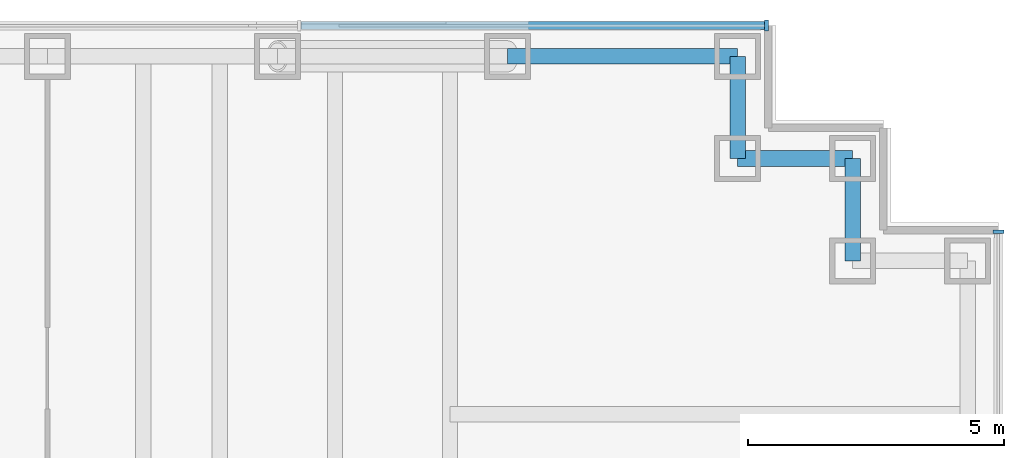
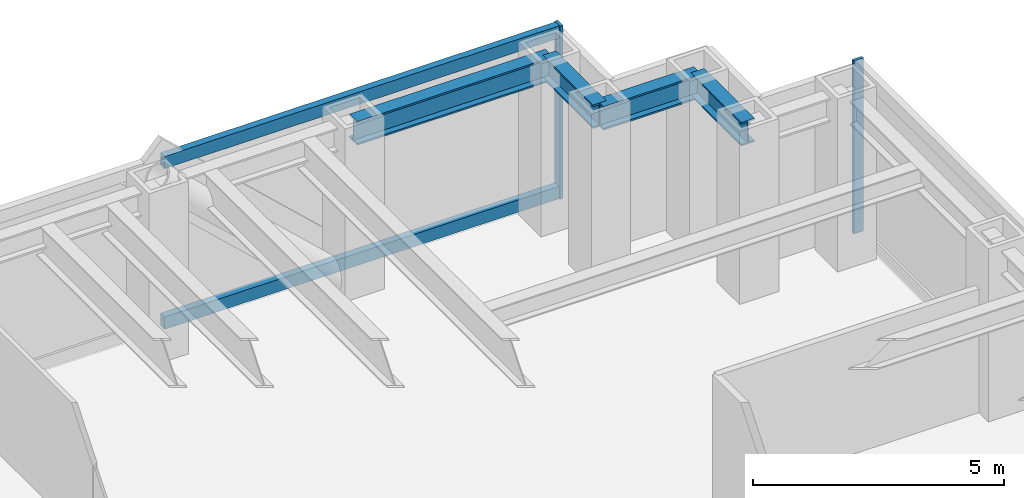
# One storey, part 9 of 17: 4 beams, 4 members, 2 elements without a shape of their own.
"""IFC4 building model written with IfcOpenShell, lengths in metres."""

from ifc_helpers import new_model, si_unit, direction, frame, origin, origin_2d, place, context, subcontext, project, spatial, rectangle, i_section, extrude, material, material_profile, profile_set, type_object, element, aggregate, save


model = new_model("IFC4")

# Units and contexts
model_context = context("Model", 3, precision=1e-05, world=origin(), true_north=direction((0.0, 1.0)))
body_context = subcontext(model_context, "Body", "Model", "MODEL_VIEW")
ifc_project = project(units=[si_unit("LENGTHUNIT", "METRE"), si_unit("AREAUNIT", "SQUARE_METRE"), si_unit("VOLUMEUNIT", "CUBIC_METRE"), si_unit("PLANEANGLEUNIT", "RADIAN"), si_unit("MASSUNIT", "GRAM", prefix="KILO")], contexts=[model_context])

# Site, building, storey
site_placement = place(None, origin())
site = spatial("IfcSite", under=ifc_project, at=site_placement, CompositionType="ELEMENT")
building_placement = place(site_placement, origin())
building = spatial("IfcBuilding", under=site, at=building_placement, Name="Rheinbord Bourse Tower", CompositionType="ELEMENT")
storey_placement = place(building_placement, frame((0.0, 0.0, 129.89990234375)))
storey = spatial("IfcBuildingStorey", under=building, at=storey_placement, Name="L28", CompositionType="ELEMENT", Elevation=129.89990234375)

# Curtain wall, member
ifc_material_1 = material(Name="Dark glass and black aluminium", Category="aluminium")
curtain_wall_type = type_object("IfcCurtainWallType", Name="CW2 DARK GLASS CURTAIN WALL", PredefinedType="USERDEFINED", material=ifc_material_1)
curtain_wall_1_placement = place(storey_placement, origin())
curtain_wall_1 = element("IfcCurtainWall", 1, at=curtain_wall_1_placement, inside=storey, type_object=curtain_wall_type, Name="Curtain wall CW2 E L28", ObjectType="UNITISED CURTAIN WALL", PredefinedType="USERDEFINED")
ifc_material_2 = material(Name="Black anodised aluminium", Category="aluminium")
ifc_material_profile_1 = material_profile(ifc_material_2, rectangle(XDim=0.219970703125, YDim=0.070068359375, at=origin_2d()), Name="CW2 MULLION 70x220")
ifc_profile_set_1 = profile_set([ifc_material_profile_1], Name="Black anodised aluminium")
member_type_1 = type_object("IfcMemberType", Name="CW2 BLACK MULLION", PredefinedType="MULLION", material=ifc_profile_set_1)
member_1_placement = place(storey_placement, frame((72.60009765625, 42.56494140625, 0.0), z_axis=(0.0, 0.0, 1.0), x_axis=(-1.0, 0.0, 0.0)))
member_1 = element("IfcMember", 2, at=member_1_placement, type_object=member_type_1, Name="CW2 mullion 6", PredefinedType="MULLION", context=body_context, shape_type="SweptSolid", body=[
    extrude(rectangle(XDim=0.219970703125, YDim=0.070068359375, at=origin_2d()), origin(), (0.0, 0.0, 1.0), 4.2001953125),
])
aggregate(curtain_wall_1, [member_1])

# Curtain wall, members
curtain_wall_2_placement = place(storey_placement, origin())
curtain_wall_2 = element("IfcCurtainWall", 3, at=curtain_wall_2_placement, inside=storey, type_object=curtain_wall_type, Name="Curtain wall CW2 N L28", ObjectType="UNITISED CURTAIN WALL", PredefinedType="USERDEFINED")
member_2_placement = place(storey_placement, frame((68.06494140625, 46.60009765625, 0.0), z_axis=(0.0, 0.0, 1.0), x_axis=(0.0, -1.0, 0.0)))
member_2 = element("IfcMember", 4, at=member_2_placement, type_object=member_type_1, Name="CW2 mullion 1", PredefinedType="MULLION", context=body_context, shape_type="SweptSolid", body=[
    extrude(rectangle(XDim=0.219970703125, YDim=0.070068359375, at=origin_2d()), origin(), (0.0, 0.0, 1.0), 4.2001953125),
])
ifc_material_3 = material(Name="Black anodised aluminium", Category="aluminium")
ifc_material_profile_2 = material_profile(ifc_material_3, rectangle(XDim=0.159912109375, YDim=0.300048828125, at=origin_2d()), Name="CW2 TRANSOM 300x160")
ifc_profile_set_2 = profile_set([ifc_material_profile_2], Name="Black anodised aluminium")
member_type_2 = type_object("IfcMemberType", Name="CW2 BLACK TRANSOM", PredefinedType="USERDEFINED", material=ifc_profile_set_2)
member_3_placement = place(storey_placement, frame((68.030029296875, 46.60009765625, 0.150146484375), z_axis=(-1.0, 0.0, 0.0), x_axis=(0.0, -1.0, 0.0)))
member_3 = element("IfcMember", 5, at=member_3_placement, type_object=member_type_2, Name="CW2 transom 1.1", ObjectType="TRANSOM", PredefinedType="USERDEFINED", context=body_context, shape_type="SweptSolid", body=[
    extrude(rectangle(XDim=0.159912109375, YDim=0.300048828125, at=origin_2d()), origin(), (0.0, 0.0, 1.0), 9.06640625),
])
member_4_placement = place(storey_placement, frame((68.030029296875, 46.60009765625, 4.050048828125), z_axis=(-1.0, 0.0, 0.0), x_axis=(0.0, -1.0, 0.0)))
member_4 = element("IfcMember", 6, at=member_4_placement, type_object=member_type_2, Name="CW2 transom 1.2", ObjectType="TRANSOM", PredefinedType="USERDEFINED", context=body_context, shape_type="SweptSolid", body=[
    extrude(rectangle(XDim=0.159912109375, YDim=0.300048828125, at=origin_2d()), origin(), (0.0, 0.0, 1.0), 9.06640625),
])
aggregate(curtain_wall_2, [member_2, member_3, member_4])

# Beams
ifc_material_4 = material(Name="Steel S460", Category="steel")
ifc_material_profile_3 = material_profile(ifc_material_4, i_section(OverallWidth=0.305908203125, OverallDepth=0.572021484375, WebThickness=0.02099609375, FlangeThickness=0.0400390625, at=origin_2d()), Name="HEM 550")
ifc_profile_set_3 = profile_set([ifc_material_profile_3], Name="Steel S460")
beam_type = type_object("IfcBeamType", Name="SPANDREL HEM 550", PredefinedType="SPANDREL", material=ifc_profile_set_3)
beam_1_placement = place(storey_placement, frame((69.75, 42.0, 3.754150390625), z_axis=(0.0, 1.0, 0.0), x_axis=(-1.0, 0.0, 0.0)))
element("IfcBeam", 7, at=beam_1_placement, inside=storey, type_object=beam_type, Name="Spandrel NE-B-NE-C under L29", PredefinedType="SPANDREL", context=body_context, shape_type="SweptSolid", body=[
    extrude(i_section(OverallWidth=0.305908203125, OverallDepth=0.572021484375, WebThickness=0.02099609375, FlangeThickness=0.0400390625, at=origin_2d()), origin(), (0.0, 0.0, 1.0), 2.0),
])
beam_2_placement = place(storey_placement, frame((69.75, 44.0, 3.754150390625), z_axis=(-1.0, 0.0, 0.0), x_axis=(0.0, -1.0, 0.0)))
element("IfcBeam", 8, at=beam_2_placement, inside=storey, type_object=beam_type, Name="Spandrel NE-C-NE-D under L29", PredefinedType="SPANDREL", context=body_context, shape_type="SweptSolid", body=[
    extrude(i_section(OverallWidth=0.305908203125, OverallDepth=0.572021484375, WebThickness=0.02099609375, FlangeThickness=0.0400390625, at=origin_2d()), origin(), (0.0, 0.0, 1.0), 2.25),
])
beam_3_placement = place(storey_placement, frame((67.5, 44.0, 3.754150390625), z_axis=(0.0, 1.0, 0.0), x_axis=(-1.0, 0.0, 0.0)))
element("IfcBeam", 9, at=beam_3_placement, inside=storey, type_object=beam_type, Name="Spandrel NE-D-NE-E under L29", PredefinedType="SPANDREL", context=body_context, shape_type="SweptSolid", body=[
    extrude(i_section(OverallWidth=0.305908203125, OverallDepth=0.572021484375, WebThickness=0.02099609375, FlangeThickness=0.0400390625, at=origin_2d()), origin(), (0.0, 0.0, 1.0), 2.0),
])
beam_4_placement = place(storey_placement, frame((67.5, 46.0, 3.754150390625), z_axis=(-1.0, 0.0, 0.0), x_axis=(0.0, -1.0, 0.0)))
element("IfcBeam", 10, at=beam_4_placement, inside=storey, type_object=beam_type, Name="Spandrel NE-E-N-63 under L29", PredefinedType="SPANDREL", context=body_context, shape_type="SweptSolid", body=[
    extrude(i_section(OverallWidth=0.305908203125, OverallDepth=0.572021484375, WebThickness=0.02099609375, FlangeThickness=0.0400390625, at=origin_2d()), origin(), (0.0, 0.0, 1.0), 4.5),
])

save(model, "model.ifc")
